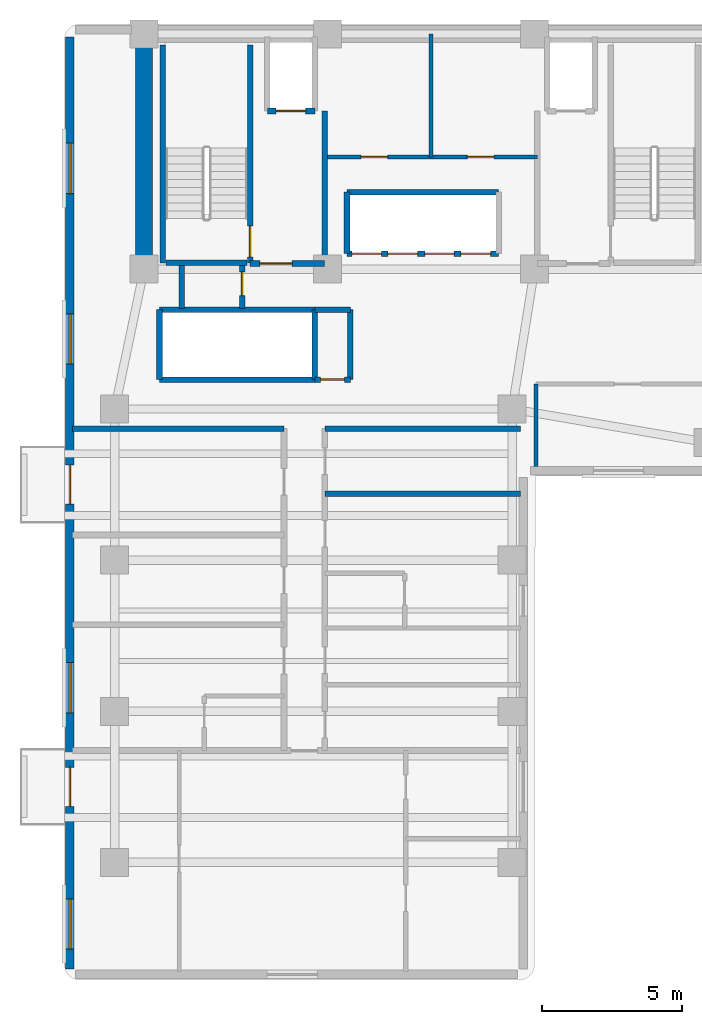
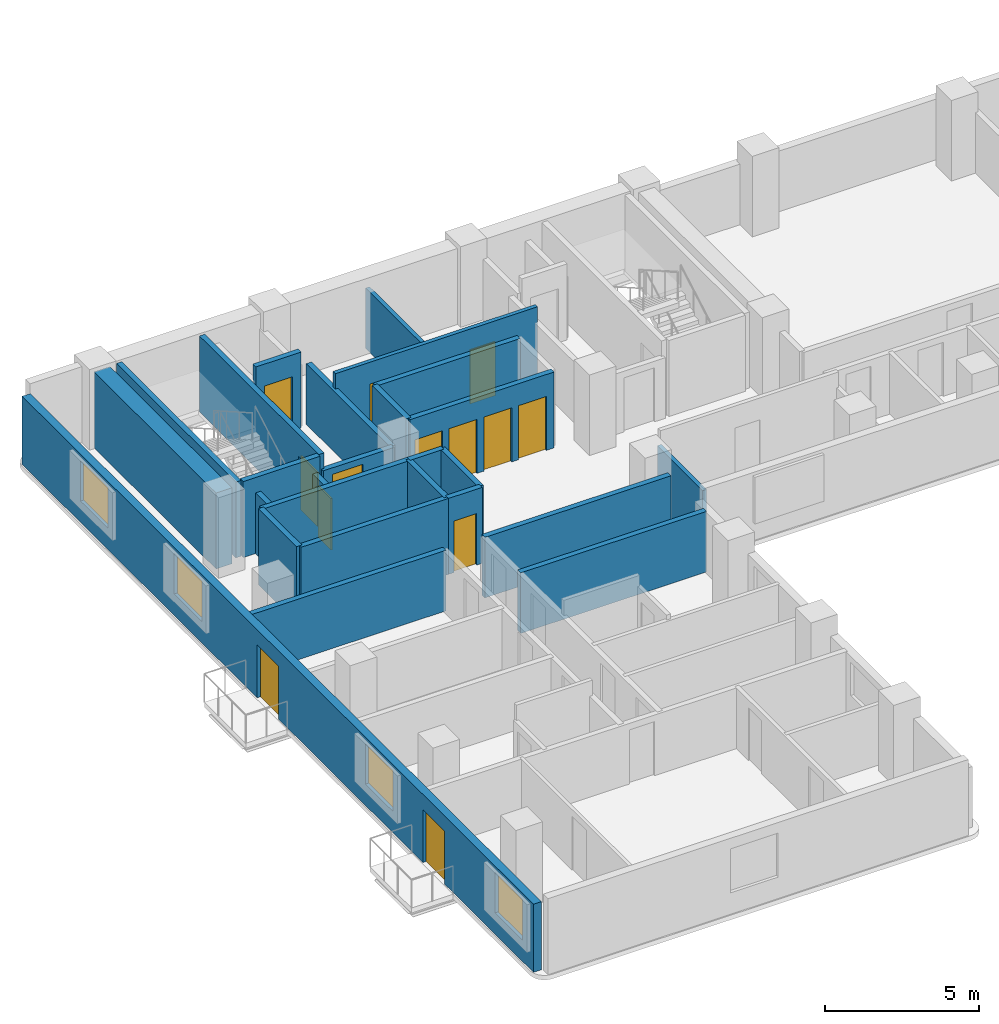
# One storey, part 3 of 7: 26 walls, 13 doors, 4 windows, 17 openings.
"""IFC4 building model written with IfcOpenShell, lengths in metres."""

import ifcopenshell
import ifcopenshell.guid

model = None  # the IFC model being written
_history = None  # IfcOwnerHistory: only IFC2X3 demands one
_inside = {}  # id of a spatial element -> (the spatial element, [elements in it])
_under = {}  # id of a project, library or spatial element -> (it, [spatial elements below it])
_declared = {}  # id of a project -> (the project, [libraries it declares])
_typed = {}  # id of a type object -> (the type object, [elements of that type])
_made_of = {}  # id of a material, layer set ... -> (it, [elements and type objects made of it])


def new_model(schema):
    """Start an empty IFC model of exactly this schema.

    Asked for "IFC4X3", IfcOpenShell would pick the latest addendum, in which some entities
    have other attributes; the version numbers below select the first issue.
    IFC2X3 requires an IfcOwnerHistory on every rooted entity: one is made here for all.
    """
    global model, _history
    if schema == "IFC4X3":
        model = ifcopenshell.file(schema_version=(4, 3, 0, 0))
    else:
        model = ifcopenshell.file(schema=schema)
    _inside.clear()
    _under.clear()
    _declared.clear()
    _typed.clear()
    _made_of.clear()
    _history = None
    if model.schema == "IFC2X3":
        org = make("IfcOrganization", Name="unknown")
        user = make(
            "IfcPersonAndOrganization",
            ThePerson=make("IfcPerson", FamilyName="unknown"),
            TheOrganization=org,
        )
        app = make(
            "IfcApplication",
            ApplicationDeveloper=org,
            Version="unknown",
            ApplicationFullName="unknown",
            ApplicationIdentifier="unknown",
        )
        _history = make(
            "IfcOwnerHistory",
            OwningUser=user,
            OwningApplication=app,
            ChangeAction="ADDED",
            CreationDate=0,
        )
    return model


def make(cls, **values):
    """One entity of the class cls with the attributes given. An attribute that is None is left unset."""
    return model.create_entity(
        cls, **{name: value for name, value in values.items() if value is not None}
    )


def rooted(cls, **values):
    """An entity with a GlobalId (a new one), such as an element, a storey or a relation."""
    return make(cls, GlobalId=ifcopenshell.guid.new(), OwnerHistory=_history, **values)


def si_unit(unit_type, name, prefix=None):
    """IfcSIUnit, for example si_unit("LENGTHUNIT", "METRE", prefix="MILLI")."""
    return make("IfcSIUnit", UnitType=unit_type, Prefix=prefix, Name=name)


def assignment(units):
    """IfcUnitAssignment: the units of a project."""
    return None if units is None else make("IfcUnitAssignment", Units=units)


def point(xyz):
    """IfcCartesianPoint."""
    return None if xyz is None else make("IfcCartesianPoint", Coordinates=xyz)


def direction(xyz):
    """IfcDirection."""
    return None if xyz is None else make("IfcDirection", DirectionRatios=xyz)


def frame(location, z_axis=None, x_axis=None):
    """IfcAxis2Placement3D, a coordinate frame: its origin and axes. An axis left out is left unset."""
    return make(
        "IfcAxis2Placement3D",
        Location=point(location),
        Axis=direction(z_axis),
        RefDirection=direction(x_axis),
    )


def frame_2d(location, x_axis=None):
    """IfcAxis2Placement2D, a coordinate frame in the plane: its origin and x axis."""
    return make(
        "IfcAxis2Placement2D", Location=point(location), RefDirection=direction(x_axis)
    )


def origin():
    """The frame at (0, 0, 0) with its axes left unset."""
    return frame((0.0, 0.0, 0.0))


def place(relative_to, where):
    """IfcLocalPlacement: puts the frame where relative to a parent placement (None: the world)."""
    return make(
        "IfcLocalPlacement", PlacementRelTo=relative_to, RelativePlacement=where
    )


def context(
    kind, dimensions, precision=None, world=None, true_north=None, identifier=None
):
    """IfcGeometricRepresentationContext, for example the 3D "Model" context."""
    return make(
        "IfcGeometricRepresentationContext",
        ContextIdentifier=identifier,
        ContextType=kind,
        CoordinateSpaceDimension=dimensions,
        Precision=precision,
        WorldCoordinateSystem=world,
        TrueNorth=true_north,
    )


def subcontext(parent, identifier, kind, view, scale=None):
    """IfcGeometricRepresentationSubContext, for example "Body" below "Model"."""
    return make(
        "IfcGeometricRepresentationSubContext",
        ContextIdentifier=identifier,
        ContextType=kind,
        ParentContext=parent,
        TargetScale=scale,
        TargetView=view,
    )


def project(units=None, contexts=None):
    """IfcProject with its units and contexts."""
    return rooted(
        "IfcProject",
        Name="project",
        RepresentationContexts=contexts,
        UnitsInContext=assignment(units),
    )


def spatial(cls, under=None, at=None, **own):
    """A site, building, storey or space (cls), placed at a placement, below another one or the project."""
    s = rooted(cls, ObjectPlacement=at, **own)
    if under is not None:
        _under.setdefault(under.id(), (under, []))[1].append(s)
    return s


def profile(cls, at=None, kind="AREA", **sizes):
    """A parametric profile (cls). Its sizes go by their IFC names, for example OverallWidth=200.0."""
    return make(cls, ProfileType=kind, Position=at, **sizes)


def rectangle(**sizes):
    """IfcRectangleProfileDef."""
    return profile("IfcRectangleProfileDef", **sizes)


def extrude(swept, where, along, depth):
    """IfcExtrudedAreaSolid: the profile swept, set in the frame where, extruded along a direction by depth."""
    return make(
        "IfcExtrudedAreaSolid",
        SweptArea=swept,
        Position=where,
        ExtrudedDirection=direction(along),
        Depth=depth,
    )


def shape(context_of_items, identifier, shape_type, items):
    """IfcShapeRepresentation: the items that make up one representation, for example the "Body"."""
    return make(
        "IfcShapeRepresentation",
        ContextOfItems=context_of_items,
        RepresentationIdentifier=identifier,
        RepresentationType=shape_type,
        Items=items,
    )


def material(Name=None, Category=None):
    """IfcMaterial."""
    return make("IfcMaterial", Name=Name, Category=Category)


def layer(
    of_material, thickness, ventilated=None, Name=None, Category=None, Priority=None
):
    """IfcMaterialLayer: one layer of a wall or slab, of a material (None: an air gap)."""
    return make(
        "IfcMaterialLayer",
        Material=of_material,
        LayerThickness=thickness,
        IsVentilated=ventilated,
        Name=Name,
        Category=Category,
        Priority=Priority,
    )


def layer_set(layers, Name=None):
    """IfcMaterialLayerSet."""
    return make("IfcMaterialLayerSet", MaterialLayers=layers, LayerSetName=Name)


def made_of(thing, what):
    """Note that an element or type object is made of a material, layer set ...; save() writes the relation."""
    if what is not None:
        _made_of.setdefault(what.id(), (what, []))[1].append(thing)
    return thing


def type_object(cls, material=None, **own):
    """A type object (cls), such as IfcWallType, which elements share."""
    return made_of(rooted(cls, **own), material)


def element(
    cls,
    number,
    at=None,
    inside=None,
    cuts=None,
    type_object=None,
    material=None,
    context=None,
    identifier="Body",
    shape_type=None,
    held_by="IfcProductDefinitionShape",
    body=None,
    shapes=None,
    **own,
):
    """One element of the class cls, such as IfcWall. Its Tag is "e" and its number.

    at: its placement. inside: the storey or other place that contains it. cuts: it is an
    opening in that element (IfcRelVoidsElement). A single representation is given by context,
    identifier, shape_type and body (its items); several are given by shapes. held_by: the class
    of the entity that holds the representations. save() writes the other relations.
    """
    e = rooted(cls, Tag="e%d" % number, ObjectPlacement=at, **own)
    if body is not None:
        shapes = [shape(context, identifier, shape_type, body)]
    if shapes is not None:
        e.Representation = make(held_by, Representations=shapes)
    if inside is not None:
        _inside.setdefault(inside.id(), (inside, []))[1].append(e)
    if cuts is not None:
        rooted(
            "IfcRelVoidsElement", RelatingBuildingElement=cuts, RelatedOpeningElement=e
        )
    if type_object is not None:
        _typed.setdefault(type_object.id(), (type_object, []))[1].append(e)
    return made_of(e, material)


def fill(opening, filler):
    """IfcRelFillsElement: the door or window that sits in an opening."""
    return rooted(
        "IfcRelFillsElement",
        RelatingOpeningElement=opening,
        RelatedBuildingElement=filler,
    )


def aggregate(whole, parts):
    """IfcRelAggregates: a whole, such as a stair, and the parts it consists of."""
    return rooted("IfcRelAggregates", RelatingObject=whole, RelatedObjects=parts)


def save(model, path):
    """Write the relations noted so far, then the file.

    IfcRelAggregates (storeys below a building ...), IfcRelContainedInSpatialStructure (elements
    in a storey), IfcRelDefinesByType, IfcRelAssociatesMaterial and IfcRelDeclares: one each for
    every whole, place, type object, material and project.
    """
    for whole, parts in _under.values():
        aggregate(whole, parts)
    for where, things in _inside.values():
        rooted(
            "IfcRelContainedInSpatialStructure",
            RelatedElements=things,
            RelatingStructure=where,
        )
    for kind, things in _typed.values():
        rooted("IfcRelDefinesByType", RelatedObjects=things, RelatingType=kind)
    for what, things in _made_of.values():
        rooted("IfcRelAssociatesMaterial", RelatedObjects=things, RelatingMaterial=what)
    for by, libraries in _declared.values():
        rooted("IfcRelDeclares", RelatingContext=by, RelatedDefinitions=libraries)
    model.write(path)


model = new_model("IFC4")

# Units and contexts
model_context = context("Model", 3, precision=1e-05, world=origin(), true_north=direction((0.0, 1.0)))
body_context = subcontext(model_context, "Body", "Model", "MODEL_VIEW")
ifc_project = project(units=[si_unit("LENGTHUNIT", "METRE"), si_unit("AREAUNIT", "SQUARE_METRE"), si_unit("VOLUMEUNIT", "CUBIC_METRE"), si_unit("PLANEANGLEUNIT", "RADIAN"), si_unit("MASSUNIT", "GRAM", prefix="KILO")], contexts=[model_context])

# Site, building, storey
site_placement = place(None, origin())
site = spatial("IfcSite", under=ifc_project, at=site_placement, CompositionType="ELEMENT")
building_placement = place(site_placement, origin())
building = spatial("IfcBuilding", under=site, at=building_placement, Name="Kuzgunbayir Cultural Tower", CompositionType="ELEMENT")
storey_placement = place(building_placement, frame((0.0, 0.0, 120.199951171875)))
storey = spatial("IfcBuildingStorey", under=building, at=storey_placement, Name="L34", CompositionType="ELEMENT", Elevation=120.199951171875)

# Wall
ifc_material_1 = material(Name="Concrete C60/75", Category="concrete")
ifc_layer_1 = layer(ifc_material_1, 0.60009765625)
ifc_layer_set_1 = layer_set([ifc_layer_1], Name="Concrete C60/75")
wall_type_1 = type_object("IfcWallType", Name="WAL-CORE-600", PredefinedType="SHEAR", material=ifc_layer_set_1)
wall_1_placement = place(storey_placement, frame((6.449951171875, 33.800048828125, 0.0), z_axis=(0.0, 0.0, 1.0), x_axis=(0.0, 1.0, 0.0)))
element("IfcWall", 1, at=wall_1_placement, inside=storey, type_object=wall_type_1, Name="L34 T1 Core West Shear Wall", PredefinedType="SHEAR", context=body_context, shape_type="SweptSolid", body=[
    extrude(rectangle(XDim=7.949951171875, YDim=0.60009765625, at=frame_2d((3.97509765625, 0.0))), origin(), (0.0, 0.0, 1.0), 3.02001953125),
])

# Wall, openings, doors, windows
ifc_material_2 = material(Name="Anatolian Cream Limestone", Category="masonry")
ifc_layer_2 = layer(ifc_material_2, 0.300048828125)
ifc_layer_set_2 = layer_set([ifc_layer_2], Name="Anatolian Cream Limestone")
wall_type_2 = type_object("IfcWallType", Name="WAL-EXT-STONE-300", PredefinedType="STANDARD", material=ifc_layer_set_2)
wall_2_placement = place(storey_placement, frame((3.800048828125, 42.10009765625, 0.0), z_axis=(0.0, 0.0, 1.0), x_axis=(0.0, -1.0, 0.0)))
wall_2 = element("IfcWall", 2, at=wall_2_placement, inside=storey, type_object=wall_type_2, Name="L34 Wing A West Limestone Wall", PredefinedType="STANDARD", context=body_context, shape_type="SweptSolid", body=[
    extrude(rectangle(XDim=33.300048828125, YDim=0.300048828125, at=frame_2d((16.64990234375, 0.0))), origin(), (0.0, 0.0, 1.0), 2.7099609375),
])
opening_1_placement = place(wall_2_placement, frame((26.10009765625, 0.0, 0.0)))
opening_1 = element("IfcOpeningElement", 3, at=opening_1_placement, cuts=wall_2, Name="Opening BD-15", PredefinedType="OPENING", context=body_context, shape_type="SweptSolid", body=[
    extrude(rectangle(XDim=1.39990234375, YDim=2.10009765625, at=frame_2d((0.699951171875, 1.050048828125))), frame((0.0, 0.16015625, 0.0), z_axis=(0.0, -1.0, 0.0), x_axis=(1.0, 0.0, 0.0)), (0.0, 0.0, 1.0), 0.320068359375),
])
opening_2_placement = place(wall_2_placement, frame((15.300048828125, 0.0, 0.0)))
opening_2 = element("IfcOpeningElement", 4, at=opening_2_placement, cuts=wall_2, Name="Opening BD-15", PredefinedType="OPENING", context=body_context, shape_type="SweptSolid", body=[
    extrude(rectangle(XDim=1.39990234375, YDim=2.10009765625, at=frame_2d((0.699951171875, 1.050048828125))), frame((0.0, 0.16015625, 0.0), z_axis=(0.0, -1.0, 0.0), x_axis=(1.0, 0.0, 0.0)), (0.0, 0.0, 1.0), 0.320068359375),
])
opening_3_placement = place(wall_2_placement, frame((22.360107421875, 0.0, 0.85009765625)))
opening_3 = element("IfcOpeningElement", 5, at=opening_3_placement, cuts=wall_2, Name="Opening WH-18", PredefinedType="OPENING", context=body_context, shape_type="SweptSolid", body=[
    extrude(rectangle(XDim=1.800048828125, YDim=1.610107421875, at=frame_2d((0.89990234375, 0.80517578125))), frame((0.0, 0.16015625, 0.0), z_axis=(0.0, -1.0, 0.0), x_axis=(1.0, 0.0, 0.0)), (0.0, 0.0, 1.0), 0.320068359375),
])
opening_4_placement = place(wall_2_placement, frame((30.800048828125, 0.0, 0.85009765625)))
opening_4 = element("IfcOpeningElement", 6, at=opening_4_placement, cuts=wall_2, Name="Opening WH-18", PredefinedType="OPENING", context=body_context, shape_type="SweptSolid", body=[
    extrude(rectangle(XDim=1.800048828125, YDim=1.610107421875, at=frame_2d((0.89990234375, 0.80517578125))), frame((0.0, 0.16015625, 0.0), z_axis=(0.0, -1.0, 0.0), x_axis=(1.0, 0.0, 0.0)), (0.0, 0.0, 1.0), 0.320068359375),
])
opening_5_placement = place(wall_2_placement, frame((9.89990234375, 0.0, 0.85009765625)))
opening_5 = element("IfcOpeningElement", 7, at=opening_5_placement, cuts=wall_2, Name="Opening WH-18", PredefinedType="OPENING", context=body_context, shape_type="SweptSolid", body=[
    extrude(rectangle(XDim=1.800048828125, YDim=1.610107421875, at=frame_2d((0.89990234375, 0.80517578125))), frame((0.0, 0.16015625, 0.0), z_axis=(0.0, -1.0, 0.0), x_axis=(1.0, 0.0, 0.0)), (0.0, 0.0, 1.0), 0.320068359375),
])
opening_6_placement = place(wall_2_placement, frame((3.800048828125, 0.0, 0.85009765625)))
opening_6 = element("IfcOpeningElement", 8, at=opening_6_placement, cuts=wall_2, Name="Opening WH-18", PredefinedType="OPENING", context=body_context, shape_type="SweptSolid", body=[
    extrude(rectangle(XDim=1.800048828125, YDim=1.610107421875, at=frame_2d((0.89990234375, 0.80517578125))), frame((0.0, 0.16015625, 0.0), z_axis=(0.0, -1.0, 0.0), x_axis=(1.0, 0.0, 0.0)), (0.0, 0.0, 1.0), 0.320068359375),
])
ifc_material_3 = material(Name="Thermally Broken Glazed Aluminium", Category="aluminium")
door_type_1 = type_object("IfcDoorType", Name="DR-BALCONY-150", OperationType="SLIDING_TO_RIGHT", PredefinedType="DOOR", material=ifc_material_3)
door_1_placement = place(opening_1_placement, origin())
door_1 = element("IfcDoor", 9, at=door_1_placement, inside=storey, type_object=door_type_1, Name="L34 West Balcony Sliding Door BAL-L34-WA1", OperationType="SLIDING_TO_RIGHT", OverallHeight=2.10009765625, OverallWidth=1.39990234375, PredefinedType="DOOR", context=body_context, shape_type="SweptSolid", body=[
    extrude(rectangle(XDim=1.39990234375, YDim=2.10009765625, at=frame_2d((0.699951171875, 1.050048828125))), frame((0.0, 0.02490234375, 0.0), z_axis=(0.0, -1.0, 0.0), x_axis=(1.0, 0.0, 0.0)), (0.0, 0.0, 1.0), 0.050048828125),
])
fill(opening_1, door_1)
door_2_placement = place(opening_2_placement, origin())
door_2 = element("IfcDoor", 10, at=door_2_placement, inside=storey, type_object=door_type_1, Name="L34 West Balcony Sliding Door BAL-L34-WA3", OperationType="SLIDING_TO_RIGHT", OverallHeight=2.10009765625, OverallWidth=1.39990234375, PredefinedType="DOOR", context=body_context, shape_type="SweptSolid", body=[
    extrude(rectangle(XDim=1.39990234375, YDim=2.10009765625, at=frame_2d((0.699951171875, 1.050048828125))), frame((0.0, 0.02490234375, 0.0), z_axis=(0.0, -1.0, 0.0), x_axis=(1.0, 0.0, 0.0)), (0.0, 0.0, 1.0), 0.050048828125),
])
fill(opening_2, door_2)
ifc_material_4 = material(Name="Solar-Control Triple Glazing", Category="glass")
window_type = type_object("IfcWindowType", Name="WIN-HOTEL-18", PartitioningType="SINGLE_PANEL", PredefinedType="WINDOW", material=ifc_material_4)
window_1_placement = place(opening_3_placement, origin())
window_1 = element("IfcWindow", 11, at=window_1_placement, inside=storey, type_object=window_type, Name="L34 WAW Facade Window 1", OverallHeight=1.610107421875, OverallWidth=1.800048828125, PartitioningType="SINGLE_PANEL", PredefinedType="WINDOW", context=body_context, shape_type="SweptSolid", body=[
    extrude(rectangle(XDim=1.800048828125, YDim=1.610107421875, at=frame_2d((0.89990234375, 0.80517578125))), frame((0.0, 0.030029296875, 0.0), z_axis=(0.0, -1.0, 0.0), x_axis=(1.0, 0.0, 0.0)), (0.0, 0.0, 1.0), 0.06005859375),
])
fill(opening_3, window_1)
window_2_placement = place(opening_4_placement, origin())
window_2 = element("IfcWindow", 12, at=window_2_placement, inside=storey, type_object=window_type, Name="L34 WAW Facade Window 6", OverallHeight=1.610107421875, OverallWidth=1.800048828125, PartitioningType="SINGLE_PANEL", PredefinedType="WINDOW", context=body_context, shape_type="SweptSolid", body=[
    extrude(rectangle(XDim=1.800048828125, YDim=1.610107421875, at=frame_2d((0.89990234375, 0.80517578125))), frame((0.0, 0.030029296875, 0.0), z_axis=(0.0, -1.0, 0.0), x_axis=(1.0, 0.0, 0.0)), (0.0, 0.0, 1.0), 0.06005859375),
])
fill(opening_4, window_2)
window_3_placement = place(opening_5_placement, origin())
window_3 = element("IfcWindow", 13, at=window_3_placement, inside=storey, type_object=window_type, Name="L34 WAW Facade Window 7", OverallHeight=1.610107421875, OverallWidth=1.800048828125, PartitioningType="SINGLE_PANEL", PredefinedType="WINDOW", context=body_context, shape_type="SweptSolid", body=[
    extrude(rectangle(XDim=1.800048828125, YDim=1.610107421875, at=frame_2d((0.89990234375, 0.80517578125))), frame((0.0, 0.030029296875, 0.0), z_axis=(0.0, -1.0, 0.0), x_axis=(1.0, 0.0, 0.0)), (0.0, 0.0, 1.0), 0.06005859375),
])
fill(opening_5, window_3)
window_4_placement = place(opening_6_placement, origin())
window_4 = element("IfcWindow", 14, at=window_4_placement, inside=storey, type_object=window_type, Name="L34 WAW Facade Window 8", OverallHeight=1.610107421875, OverallWidth=1.800048828125, PartitioningType="SINGLE_PANEL", PredefinedType="WINDOW", context=body_context, shape_type="SweptSolid", body=[
    extrude(rectangle(XDim=1.800048828125, YDim=1.610107421875, at=frame_2d((0.89990234375, 0.80517578125))), frame((0.0, 0.030029296875, 0.0), z_axis=(0.0, -1.0, 0.0), x_axis=(1.0, 0.0, 0.0)), (0.0, 0.0, 1.0), 0.06005859375),
])
fill(opening_6, window_4)

# Wall, openings, doors
ifc_material_5 = material(Name="Acoustic Double-Stud Drywall", Category="gypsum")
ifc_layer_3 = layer(ifc_material_5, 0.14990234375)
ifc_layer_set_3 = layer_set([ifc_layer_3], Name="Acoustic Double-Stud Drywall")
wall_type_3 = type_object("IfcWallType", Name="WAL-PART-ACOUSTIC-150", PredefinedType="PARTITIONING", material=ifc_layer_set_3)
wall_3_placement = place(storey_placement, frame((12.89990234375, 37.800048828125, 0.0), z_axis=(0.0, 0.0, 1.0), x_axis=(1.0, 0.0, 0.0)))
wall_3 = element("IfcWall", 15, at=wall_3_placement, inside=storey, type_object=wall_type_3, Name="L34 Repurposed Core Suite Wall", PredefinedType="PARTITIONING", context=body_context, shape_type="SweptSolid", body=[
    extrude(rectangle(XDim=7.60009765625, YDim=0.14990234375, at=frame_2d((3.800048828125, 0.0))), origin(), (0.0, 0.0, 1.0), 3.02001953125),
])
opening_7_placement = place(wall_3_placement, frame((1.300048828125, 0.0, 0.0)))
opening_7 = element("IfcOpeningElement", 16, at=opening_7_placement, cuts=wall_3, Name="Opening DC-95", PredefinedType="OPENING", context=body_context, shape_type="SweptSolid", body=[
    extrude(rectangle(XDim=0.949951171875, YDim=2.14990234375, at=frame_2d((0.47509765625, 1.074951171875))), frame((0.0, 0.0849609375, 0.0), z_axis=(0.0, -1.0, 0.0), x_axis=(1.0, 0.0, 0.0)), (0.0, 0.0, 1.0), 0.169921875),
])
opening_8_placement = place(wall_3_placement, frame((5.10009765625, 0.0, 0.0)))
opening_8 = element("IfcOpeningElement", 17, at=opening_8_placement, cuts=wall_3, Name="Opening DC-95", PredefinedType="OPENING", context=body_context, shape_type="SweptSolid", body=[
    extrude(rectangle(XDim=0.949951171875, YDim=2.14990234375, at=frame_2d((0.47509765625, 1.074951171875))), frame((0.0, 0.0849609375, 0.0), z_axis=(0.0, -1.0, 0.0), x_axis=(1.0, 0.0, 0.0)), (0.0, 0.0, 1.0), 0.169921875),
])
ifc_material_6 = material(Name="Fire-Rated Veneered Oak Leaf", Category="wood")
door_type_2 = type_object("IfcDoorType", Name="DR-CORE-95", OperationType="NOTDEFINED", PredefinedType="DOOR", material=ifc_material_6)
door_3_placement = place(opening_7_placement, origin())
door_3 = element("IfcDoor", 18, at=door_3_placement, inside=storey, type_object=door_type_2, Name="L34 Focus Room Door", OperationType="SINGLE_SWING_LEFT", OverallHeight=2.14990234375, OverallWidth=0.949951171875, PredefinedType="DOOR", context=body_context, shape_type="SweptSolid", body=[
    extrude(rectangle(XDim=0.949951171875, YDim=2.14990234375, at=frame_2d((0.47509765625, 1.074951171875))), frame((0.0, 0.02490234375, 0.0), z_axis=(0.0, -1.0, 0.0), x_axis=(1.0, 0.0, 0.0)), (0.0, 0.0, 1.0), 0.050048828125),
])
fill(opening_7, door_3)
door_4_placement = place(opening_8_placement, origin())
door_4 = element("IfcDoor", 19, at=door_4_placement, inside=storey, type_object=door_type_2, Name="L34 Core Linen Room Door", OperationType="SINGLE_SWING_RIGHT", OverallHeight=2.14990234375, OverallWidth=0.949951171875, PredefinedType="DOOR", context=body_context, shape_type="SweptSolid", body=[
    extrude(rectangle(XDim=0.949951171875, YDim=2.14990234375, at=frame_2d((0.47509765625, 1.074951171875))), frame((0.0, 0.02490234375, 0.0), z_axis=(0.0, -1.0, 0.0), x_axis=(1.0, 0.0, 0.0)), (0.0, 0.0, 1.0), 0.050048828125),
])
fill(opening_8, door_4)

# Walls
wall_4_placement = place(storey_placement, frame((16.699951171875, 37.800048828125, 0.0), z_axis=(0.0, 0.0, 1.0), x_axis=(0.0, 1.0, 0.0)))
element("IfcWall", 20, at=wall_4_placement, inside=storey, type_object=wall_type_3, Name="L34 Core Study Partition", PredefinedType="PARTITIONING", context=body_context, shape_type="SweptSolid", body=[
    extrude(rectangle(XDim=4.39990234375, YDim=0.14990234375, at=frame_2d((2.199951171875, 0.0))), origin(), (0.0, 0.0, 1.0), 2.41015625),
])
wall_5_placement = place(storey_placement, frame((20.449951171875, 26.75, 0.0), z_axis=(0.0, 0.0, 1.0), x_axis=(0.0, 1.0, 0.0)))
element("IfcWall", 21, at=wall_5_placement, inside=storey, type_object=wall_type_3, Name="L34 Waist Alcove West Wall", PredefinedType="PARTITIONING", context=body_context, shape_type="SweptSolid", body=[
    extrude(rectangle(XDim=2.949951171875, YDim=0.14990234375, at=frame_2d((1.47509765625, 0.0))), origin(), (0.0, 0.0, 1.0), 2.41015625),
])
ifc_material_7 = material(Name="Aerated Concrete Blockwork", Category="masonry")
ifc_layer_4 = layer(ifc_material_7, 0.199951171875)
ifc_layer_set_4 = layer_set([ifc_layer_4], Name="Aerated Concrete Blockwork")
wall_type_4 = type_object("IfcWallType", Name="WAL-PART-FIRE-200", PredefinedType="PARTITIONING", material=ifc_layer_set_4)
wall_6_placement = place(storey_placement, frame((12.89990234375, 34.0, 0.0), z_axis=(0.0, 0.0, 1.0), x_axis=(0.0, 1.0, 0.0)))
element("IfcWall", 22, at=wall_6_placement, inside=storey, type_object=wall_type_4, Name="L34 FFL-1 Lobby East Fire Wall", PredefinedType="PARTITIONING", context=body_context, shape_type="SweptSolid", body=[
    extrude(rectangle(XDim=5.449951171875, YDim=0.199951171875, at=frame_2d((2.72509765625, 0.0))), origin(), (0.0, 0.0, 1.0), 2.41015625),
])

# Wall, opening, door
wall_7_placement = place(storey_placement, frame((10.239990234375, 34.0, 0.0), z_axis=(0.0, 0.0, 1.0), x_axis=(1.0, 0.0, 0.0)))
wall_7 = element("IfcWall", 23, at=wall_7_placement, inside=storey, type_object=wall_type_4, Name="L34 FFL-1 Lobby South Fire Wall", PredefinedType="PARTITIONING", context=body_context, shape_type="SweptSolid", body=[
    extrude(rectangle(XDim=2.659912109375, YDim=0.199951171875, at=frame_2d((1.330078125, 0.0))), origin(), (0.0, 0.0, 1.0), 2.41015625),
])
opening_9_placement = place(wall_7_placement, frame((0.35009765625, 0.0, 0.0)))
opening_9 = element("IfcOpeningElement", 24, at=opening_9_placement, cuts=wall_7, Name="Opening DR-FFL-90", PredefinedType="OPENING", context=body_context, shape_type="SweptSolid", body=[
    extrude(rectangle(XDim=1.14990234375, YDim=2.14990234375, at=frame_2d((0.574951171875, 1.074951171875))), frame((0.0, 0.10986328125, 0.0), z_axis=(0.0, -1.0, 0.0), x_axis=(1.0, 0.0, 0.0)), (0.0, 0.0, 1.0), 0.219970703125),
])
ifc_material_8 = material(Name="Steel S355J2", Category="steel")
door_type_3 = type_object("IfcDoorType", Name="DR-FFL-90", OperationType="NOTDEFINED", PredefinedType="DOOR", material=ifc_material_8)
door_5_placement = place(opening_9_placement, origin())
door_5 = element("IfcDoor", 25, at=door_5_placement, inside=storey, type_object=door_type_3, Name="L34 Firefighting Lobby 1 Door", OperationType="SINGLE_SWING_LEFT", OverallHeight=2.14990234375, OverallWidth=1.14990234375, PredefinedType="DOOR", context=body_context, shape_type="SweptSolid", body=[
    extrude(rectangle(XDim=1.14990234375, YDim=2.14990234375, at=frame_2d((0.574951171875, 1.074951171875))), frame((0.0, 0.02490234375, 0.0), z_axis=(0.0, -1.0, 0.0), x_axis=(1.0, 0.0, 0.0)), (0.0, 0.0, 1.0), 0.050048828125),
])
fill(opening_9, door_5)

wall_8_placement = place(storey_placement, frame((12.550048828125, 29.85009765625, 0.0), z_axis=(0.0, 0.0, 1.0), x_axis=(1.0, 0.0, 0.0)))
wall_8 = element("IfcWall", 26, at=wall_8_placement, inside=storey, type_object=wall_type_4, Name="L34 Center Core Switchgear South Wall", PredefinedType="PARTITIONING", context=body_context, shape_type="SweptSolid", body=[
    extrude(rectangle(XDim=1.27001953125, YDim=0.199951171875, at=frame_2d((0.635009765625, 0.0))), origin(), (0.0, 0.0, 1.0), 3.02001953125),
])
opening_10_placement = place(wall_8_placement, frame((0.2099609375, 0.0, 0.0)))
opening_10 = element("IfcOpeningElement", 27, at=opening_10_placement, cuts=wall_8, Name="Opening DR-RSR-60", PredefinedType="OPENING", context=body_context, shape_type="SweptSolid", body=[
    extrude(rectangle(XDim=0.85009765625, YDim=2.050048828125, at=frame_2d((0.425048828125, 1.02490234375))), frame((0.0, 0.10986328125, 0.0), z_axis=(0.0, -1.0, 0.0), x_axis=(1.0, 0.0, 0.0)), (0.0, 0.0, 1.0), 0.219970703125),
])
ifc_material_9 = material(Name="Steel Access Leaf", Category="steel")
door_type_4 = type_object("IfcDoorType", Name="DR-RISER-60", OperationType="NOTDEFINED", PredefinedType="DOOR", material=ifc_material_9)
door_6_placement = place(opening_10_placement, origin())
door_6 = element("IfcDoor", 28, at=door_6_placement, inside=storey, type_object=door_type_4, Name="L34 Electrical Switchgear Closet Door", OperationType="SINGLE_SWING_LEFT", OverallHeight=2.050048828125, OverallWidth=0.85009765625, PredefinedType="DOOR", context=body_context, shape_type="SweptSolid", body=[
    extrude(rectangle(XDim=0.85009765625, YDim=2.050048828125, at=frame_2d((0.425048828125, 1.02490234375))), frame((0.0, 0.02490234375, 0.0), z_axis=(0.0, -1.0, 0.0), x_axis=(1.0, 0.0, 0.0)), (0.0, 0.0, 1.0), 0.050048828125),
])
fill(opening_10, door_6)

# Walls
wall_9_placement = place(storey_placement, frame((13.820068359375, 29.85009765625, 0.0), z_axis=(0.0, 0.0, 1.0), x_axis=(0.0, 1.0, 0.0)))
element("IfcWall", 29, at=wall_9_placement, inside=storey, type_object=wall_type_4, Name="L34 Center Core Switchgear East Wall", PredefinedType="PARTITIONING", context=body_context, shape_type="SweptSolid", body=[
    extrude(rectangle(XDim=2.5, YDim=0.199951171875, at=frame_2d((1.25, 0.0))), origin(), (0.0, 0.0, 1.0), 3.02001953125),
])
wall_10_placement = place(storey_placement, frame((12.550048828125, 32.35009765625, 0.0), z_axis=(0.0, 0.0, 1.0), x_axis=(1.0, 0.0, 0.0)))
element("IfcWall", 30, at=wall_10_placement, inside=storey, type_object=wall_type_4, Name="L34 Center Core Switchgear North Wall", PredefinedType="PARTITIONING", context=body_context, shape_type="SweptSolid", body=[
    extrude(rectangle(XDim=1.27001953125, YDim=0.199951171875, at=frame_2d((0.635009765625, 0.0))), origin(), (0.0, 0.0, 1.0), 3.02001953125),
])
wall_11_placement = place(storey_placement, frame((7.800048828125, 32.39990234375, 0.0), z_axis=(0.0, 0.0, 1.0), x_axis=(0.0, 1.0, 0.0)))
element("IfcWall", 31, at=wall_11_placement, inside=storey, type_object=wall_type_4, Name="L34 West Core Electrical Closet West Wall", PredefinedType="PARTITIONING", context=body_context, shape_type="SweptSolid", body=[
    extrude(rectangle(XDim=1.52001953125, YDim=0.199951171875, at=frame_2d((0.760009765625, 0.0))), origin(), (0.0, 0.0, 1.0), 2.41015625),
])

# Wall, opening, door
wall_12_placement = place(storey_placement, frame((9.949951171875, 32.39990234375, 0.0), z_axis=(0.0, 0.0, 1.0), x_axis=(0.0, 1.0, 0.0)))
wall_12 = element("IfcWall", 32, at=wall_12_placement, inside=storey, type_object=wall_type_4, Name="L34 West Core Electrical Closet East Wall", PredefinedType="PARTITIONING", context=body_context, shape_type="SweptSolid", body=[
    extrude(rectangle(XDim=1.52001953125, YDim=0.199951171875, at=frame_2d((0.760009765625, 0.0))), origin(), (0.0, 0.0, 1.0), 2.41015625),
])
opening_11_placement = place(wall_12_placement, frame((0.449951171875, 0.0, 0.0)))
opening_11 = element("IfcOpeningElement", 33, at=opening_11_placement, cuts=wall_12, Name="Opening DR-RSR-60", PredefinedType="OPENING", context=body_context, shape_type="SweptSolid", body=[
    extrude(rectangle(XDim=0.85009765625, YDim=2.050048828125, at=frame_2d((0.425048828125, 1.02490234375))), frame((0.0, 0.10986328125, 0.0), z_axis=(0.0, -1.0, 0.0), x_axis=(1.0, 0.0, 0.0)), (0.0, 0.0, 1.0), 0.219970703125),
])
door_7_placement = place(opening_11_placement, origin())
door_7 = element("IfcDoor", 34, at=door_7_placement, inside=storey, type_object=door_type_4, Name="L34 West Core Switchgear Closet Door", OperationType="SINGLE_SWING_RIGHT", OverallHeight=2.050048828125, OverallWidth=0.85009765625, PredefinedType="DOOR", context=body_context, shape_type="SweptSolid", body=[
    extrude(rectangle(XDim=0.85009765625, YDim=2.050048828125, at=frame_2d((0.425048828125, 1.02490234375))), frame((0.0, 0.02490234375, 0.0), z_axis=(0.0, -1.0, 0.0), x_axis=(1.0, 0.0, 0.0)), (0.0, 0.0, 1.0), 0.050048828125),
])
fill(opening_11, door_7)

# Walls
wall_13_placement = place(storey_placement, frame((3.89990234375, 28.10009765625, 0.0), z_axis=(0.0, 0.0, 1.0), x_axis=(1.0, 0.0, 0.0)))
element("IfcWall", 35, at=wall_13_placement, inside=storey, type_object=wall_type_4, Name="L34 North West Partition", PredefinedType="PARTITIONING", context=body_context, shape_type="SweptSolid", body=[
    extrude(rectangle(XDim=7.550048828125, YDim=0.199951171875, at=frame_2d((3.77490234375, 0.0))), origin(), (0.0, 0.0, 1.0), 2.41015625),
])
for number, where, z_axis, x_axis, name in (
    (36, (12.909912109375, 28.10009765625, 0.0), (0.0, 0.0, 1.0), (1.0, 0.0, 0.0), "L34 North East Partition"),
    (37, (12.909912109375, 25.77001953125, 0.0), (0.0, 0.0, 1.0), (1.0, 0.0, 0.0), "L34 Suite E1 Sub-Party Wall"),
):
    element("IfcWall", number, at=place(storey_placement, frame(where, z_axis=z_axis, x_axis=x_axis)), inside=storey, type_object=wall_type_4, Name=name, PredefinedType="PARTITIONING", context=body_context, shape_type="SweptSolid", body=[
        extrude(rectangle(XDim=6.989990234375, YDim=0.199951171875, at=frame_2d((3.4951171875, 0.0))), origin(), (0.0, 0.0, 1.0), 2.41015625),
    ])
ifc_material_10 = material(Name="Concrete C40/50", Category="concrete")
ifc_layer_5 = layer(ifc_material_10, 0.199951171875)
ifc_layer_set_5 = layer_set([ifc_layer_5], Name="Concrete C40/50")
wall_type_5 = type_object("IfcWallType", Name="WAL-SHAFT-200", PredefinedType="MOVABLE", material=ifc_layer_set_5)
for number, where, z_axis, x_axis, name in (
    (38, (7.0, 29.85009765625, 0.0), (0.0, 0.0, 1.0), (1.0, 0.0, 0.0), "L34 High-Rise Lift Shaft South Wall"),
    (39, (7.0, 32.35009765625, 0.0), (0.0, 0.0, 1.0), (1.0, 0.0, 0.0), "L34 High-Rise Lift Shaft North Wall"),
):
    element("IfcWall", number, at=place(storey_placement, frame(where, z_axis=z_axis, x_axis=x_axis)), inside=storey, type_object=wall_type_5, Name=name, PredefinedType="MOVABLE", context=body_context, shape_type="SweptSolid", body=[
        extrude(rectangle(XDim=5.550048828125, YDim=0.199951171875, at=frame_2d((2.77490234375, 0.0))), origin(), (0.0, 0.0, 1.0), 3.02001953125),
    ])
for number, where, z_axis, x_axis, name in (
    (40, (7.0, 29.85009765625, 0.0), (0.0, 0.0, 1.0), (0.0, 1.0, 0.0), "L34 High-Rise Lift Shaft West Wall"),
    (41, (12.550048828125, 29.85009765625, 0.0), (0.0, 0.0, 1.0), (0.0, 1.0, 0.0), "L34 High-Rise Lift Shaft East Wall"),
):
    element("IfcWall", number, at=place(storey_placement, frame(where, z_axis=z_axis, x_axis=x_axis)), inside=storey, type_object=wall_type_5, Name=name, PredefinedType="MOVABLE", context=body_context, shape_type="SweptSolid", body=[
        extrude(rectangle(XDim=2.5, YDim=0.199951171875, at=frame_2d((1.25, 0.0))), origin(), (0.0, 0.0, 1.0), 3.02001953125),
    ])

# Wall, opening, door
wall_14_placement = place(storey_placement, frame((10.85009765625, 39.449951171875, 0.0), z_axis=(0.0, 0.0, 1.0), x_axis=(1.0, 0.0, 0.0)))
wall_14 = element("IfcWall", 42, at=wall_14_placement, inside=storey, type_object=wall_type_5, Name="L34 FFL-1 Lift Front Wall", PredefinedType="MOVABLE", context=body_context, shape_type="SweptSolid", body=[
    extrude(rectangle(XDim=1.699951171875, YDim=0.199951171875, at=frame_2d((0.85009765625, 0.0))), origin(), (0.0, 0.0, 1.0), 3.02001953125),
])
opening_12_placement = place(wall_14_placement, frame((0.320068359375, 0.0, 0.0)))
opening_12 = element("IfcOpeningElement", 43, at=opening_12_placement, cuts=wall_14, Name="Opening LD", PredefinedType="OPENING", context=body_context, shape_type="SweptSolid", body=[
    extrude(rectangle(XDim=1.050048828125, YDim=2.14990234375, at=frame_2d((0.52490234375, 1.074951171875))), frame((0.0, 0.10986328125, 0.0), z_axis=(0.0, -1.0, 0.0), x_axis=(1.0, 0.0, 0.0)), (0.0, 0.0, 1.0), 0.219970703125),
])
ifc_material_11 = material(Name="Brushed Stainless Steel", Category="steel")
door_type_5 = type_object("IfcDoorType", Name="DR-LIFT-LANDING", OperationType="SLIDING_TO_LEFT", PredefinedType="DOOR", material=ifc_material_11)
door_8_placement = place(opening_12_placement, origin())
door_8 = element("IfcDoor", 44, at=door_8_placement, inside=storey, type_object=door_type_5, Name="L34 Lift FFL-1 Landing Door", OperationType="SLIDING_TO_LEFT", OverallHeight=2.14990234375, OverallWidth=1.050048828125, PredefinedType="DOOR", context=body_context, shape_type="SweptSolid", body=[
    extrude(rectangle(XDim=1.050048828125, YDim=2.14990234375, at=frame_2d((0.52490234375, 1.074951171875))), frame((0.0, 0.02490234375, 0.0), z_axis=(0.0, -1.0, 0.0), x_axis=(1.0, 0.0, 0.0)), (0.0, 0.0, 1.0), 0.050048828125),
])
fill(opening_12, door_8)

# Wall, openings, doors
wall_15_placement = place(storey_placement, frame((13.699951171875, 34.35009765625, 0.0), z_axis=(0.0, 0.0, 1.0), x_axis=(1.0, 0.0, 0.0)))
wall_15 = element("IfcWall", 45, at=wall_15_placement, inside=storey, type_object=wall_type_5, Name="L34 Mid-Rise Lift Front Wall", PredefinedType="MOVABLE", context=body_context, shape_type="SweptSolid", body=[
    extrude(rectangle(XDim=5.420166015625, YDim=0.199951171875, at=frame_2d((2.7099609375, 0.0))), origin(), (0.0, 0.0, 1.0), 3.02001953125),
])
opening_13_placement = place(wall_15_placement, frame((0.179931640625, 0.0, 0.0)))
opening_13 = element("IfcOpeningElement", 46, at=opening_13_placement, cuts=wall_15, Name="Opening LD", PredefinedType="OPENING", context=body_context, shape_type="SweptSolid", body=[
    extrude(rectangle(XDim=1.050048828125, YDim=2.14990234375, at=frame_2d((0.52490234375, 1.074951171875))), frame((0.0, 0.10986328125, 0.0), z_axis=(0.0, -1.0, 0.0), x_axis=(1.0, 0.0, 0.0)), (0.0, 0.0, 1.0), 0.219970703125),
])
opening_14_placement = place(wall_15_placement, frame((1.469970703125, 0.0, 0.0)))
opening_14 = element("IfcOpeningElement", 47, at=opening_14_placement, cuts=wall_15, Name="Opening LD", PredefinedType="OPENING", context=body_context, shape_type="SweptSolid", body=[
    extrude(rectangle(XDim=1.050048828125, YDim=2.14990234375, at=frame_2d((0.52490234375, 1.074951171875))), frame((0.0, 0.10986328125, 0.0), z_axis=(0.0, -1.0, 0.0), x_axis=(1.0, 0.0, 0.0)), (0.0, 0.0, 1.0), 0.219970703125),
])
opening_15_placement = place(wall_15_placement, frame((2.780029296875, 0.0, 0.0)))
opening_15 = element("IfcOpeningElement", 48, at=opening_15_placement, cuts=wall_15, Name="Opening LD", PredefinedType="OPENING", context=body_context, shape_type="SweptSolid", body=[
    extrude(rectangle(XDim=1.050048828125, YDim=2.14990234375, at=frame_2d((0.52490234375, 1.074951171875))), frame((0.0, 0.10986328125, 0.0), z_axis=(0.0, -1.0, 0.0), x_axis=(1.0, 0.0, 0.0)), (0.0, 0.0, 1.0), 0.219970703125),
])
opening_16_placement = place(wall_15_placement, frame((4.080078125, 0.0, 0.0)))
opening_16 = element("IfcOpeningElement", 49, at=opening_16_placement, cuts=wall_15, Name="Opening LD", PredefinedType="OPENING", context=body_context, shape_type="SweptSolid", body=[
    extrude(rectangle(XDim=1.050048828125, YDim=2.14990234375, at=frame_2d((0.52490234375, 1.074951171875))), frame((0.0, 0.10986328125, 0.0), z_axis=(0.0, -1.0, 0.0), x_axis=(1.0, 0.0, 0.0)), (0.0, 0.0, 1.0), 0.219970703125),
])
door_9_placement = place(opening_13_placement, origin())
door_9 = element("IfcDoor", 50, at=door_9_placement, inside=storey, type_object=door_type_5, Name="L34 Lift PM-1 Landing Door", OperationType="SLIDING_TO_LEFT", OverallHeight=2.14990234375, OverallWidth=1.050048828125, PredefinedType="DOOR", context=body_context, shape_type="SweptSolid", body=[
    extrude(rectangle(XDim=1.050048828125, YDim=2.14990234375, at=frame_2d((0.52490234375, 1.074951171875))), frame((0.0, 0.02490234375, 0.0), z_axis=(0.0, -1.0, 0.0), x_axis=(1.0, 0.0, 0.0)), (0.0, 0.0, 1.0), 0.050048828125),
])
fill(opening_13, door_9)
door_10_placement = place(opening_14_placement, origin())
door_10 = element("IfcDoor", 51, at=door_10_placement, inside=storey, type_object=door_type_5, Name="L34 Lift PM-2 Landing Door", OperationType="SLIDING_TO_LEFT", OverallHeight=2.14990234375, OverallWidth=1.050048828125, PredefinedType="DOOR", context=body_context, shape_type="SweptSolid", body=[
    extrude(rectangle(XDim=1.050048828125, YDim=2.14990234375, at=frame_2d((0.52490234375, 1.074951171875))), frame((0.0, 0.02490234375, 0.0), z_axis=(0.0, -1.0, 0.0), x_axis=(1.0, 0.0, 0.0)), (0.0, 0.0, 1.0), 0.050048828125),
])
fill(opening_14, door_10)
door_11_placement = place(opening_15_placement, origin())
door_11 = element("IfcDoor", 52, at=door_11_placement, inside=storey, type_object=door_type_5, Name="L34 Lift PM-3 Landing Door", OperationType="SLIDING_TO_LEFT", OverallHeight=2.14990234375, OverallWidth=1.050048828125, PredefinedType="DOOR", context=body_context, shape_type="SweptSolid", body=[
    extrude(rectangle(XDim=1.050048828125, YDim=2.14990234375, at=frame_2d((0.52490234375, 1.074951171875))), frame((0.0, 0.02490234375, 0.0), z_axis=(0.0, -1.0, 0.0), x_axis=(1.0, 0.0, 0.0)), (0.0, 0.0, 1.0), 0.050048828125),
])
fill(opening_15, door_11)
door_12_placement = place(opening_16_placement, origin())
door_12 = element("IfcDoor", 53, at=door_12_placement, inside=storey, type_object=door_type_5, Name="L34 Lift PM-4 Landing Door", OperationType="SLIDING_TO_LEFT", OverallHeight=2.14990234375, OverallWidth=1.050048828125, PredefinedType="DOOR", context=body_context, shape_type="SweptSolid", body=[
    extrude(rectangle(XDim=1.050048828125, YDim=2.14990234375, at=frame_2d((0.52490234375, 1.074951171875))), frame((0.0, 0.02490234375, 0.0), z_axis=(0.0, -1.0, 0.0), x_axis=(1.0, 0.0, 0.0)), (0.0, 0.0, 1.0), 0.050048828125),
])
fill(opening_16, door_12)

# Walls
wall_16_placement = place(storey_placement, frame((13.699951171875, 36.550048828125, 0.0), z_axis=(0.0, 0.0, 1.0), x_axis=(1.0, 0.0, 0.0)))
element("IfcWall", 54, at=wall_16_placement, inside=storey, type_object=wall_type_5, Name="L34 Mid-Rise Lift Shaft North Wall", PredefinedType="MOVABLE", context=body_context, shape_type="SweptSolid", body=[
    extrude(rectangle(XDim=5.420166015625, YDim=0.199951171875, at=frame_2d((2.7099609375, 0.0))), origin(), (0.0, 0.0, 1.0), 3.02001953125),
])
wall_17_placement = place(storey_placement, frame((13.699951171875, 34.35009765625, 0.0), z_axis=(0.0, 0.0, 1.0), x_axis=(0.0, 1.0, 0.0)))
element("IfcWall", 55, at=wall_17_placement, inside=storey, type_object=wall_type_5, Name="L34 Mid-Rise Lift Shaft West Wall", PredefinedType="MOVABLE", context=body_context, shape_type="SweptSolid", body=[
    extrude(rectangle(XDim=2.199951171875, YDim=0.199951171875, at=frame_2d((1.10009765625, 0.0))), origin(), (0.0, 0.0, 1.0), 3.02001953125),
])
ifc_layer_6 = layer(ifc_material_10, 0.199951171875)
ifc_layer_set_6 = layer_set([ifc_layer_6], Name="Concrete C40/50")
wall_type_6 = type_object("IfcWallType", Name="WAL-STAIR-RC-200", PredefinedType="SHEAR", material=ifc_layer_set_6)
wall_18_placement = place(storey_placement, frame((7.1201171875, 34.02001953125, 0.0), z_axis=(0.0, 0.0, 1.0), x_axis=(0.0, 1.0, 0.0)))
element("IfcWall", 56, at=wall_18_placement, inside=storey, type_object=wall_type_6, Name="L34 Stair ST-1 West Structural Wall", PredefinedType="SHEAR", context=body_context, shape_type="SweptSolid", body=[
    extrude(rectangle(XDim=7.780029296875, YDim=0.199951171875, at=frame_2d((3.89013671875, 0.0))), origin(), (0.0, 0.0, 1.0), 3.02001953125),
])

# Wall, opening, door
wall_19_placement = place(storey_placement, frame((10.239990234375, 34.02001953125, 0.0), z_axis=(0.0, 0.0, 1.0), x_axis=(0.0, 1.0, 0.0)))
wall_19 = element("IfcWall", 57, at=wall_19_placement, inside=storey, type_object=wall_type_6, Name="L34 Stair ST-1 East Structural Wall", PredefinedType="SHEAR", context=body_context, shape_type="SweptSolid", body=[
    extrude(rectangle(XDim=7.780029296875, YDim=0.199951171875, at=frame_2d((3.89013671875, 0.0))), origin(), (0.0, 0.0, 1.0), 3.02001953125),
])
opening_17_placement = place(wall_19_placement, frame((0.219970703125, 0.0, 0.0)))
opening_17 = element("IfcOpeningElement", 58, at=opening_17_placement, cuts=wall_19, Name="Opening DR-STAIR-90", PredefinedType="OPENING", context=body_context, shape_type="SweptSolid", body=[
    extrude(rectangle(XDim=1.10009765625, YDim=2.14990234375, at=frame_2d((0.550048828125, 1.074951171875))), frame((0.0, 0.10986328125, 0.0), z_axis=(0.0, -1.0, 0.0), x_axis=(1.0, 0.0, 0.0)), (0.0, 0.0, 1.0), 0.219970703125),
])
door_type_6 = type_object("IfcDoorType", Name="DR-STAIR-90", OperationType="NOTDEFINED", PredefinedType="DOOR", material=ifc_material_8)
door_13_placement = place(opening_17_placement, origin())
door_13 = element("IfcDoor", 59, at=door_13_placement, inside=storey, type_object=door_type_6, Name="L34 Stair ST-1 Fire Door", OperationType="SINGLE_SWING_RIGHT", OverallHeight=2.14990234375, OverallWidth=1.10009765625, PredefinedType="DOOR", context=body_context, shape_type="SweptSolid", body=[
    extrude(rectangle(XDim=1.10009765625, YDim=2.14990234375, at=frame_2d((0.550048828125, 1.074951171875))), frame((0.0, 0.02490234375, 0.0), z_axis=(0.0, -1.0, 0.0), x_axis=(1.0, 0.0, 0.0)), (0.0, 0.0, 1.0), 0.050048828125),
])
fill(opening_17, door_13)

# Wall
wall_20_placement = place(storey_placement, frame((7.239990234375, 34.02001953125, 0.0), z_axis=(0.0, 0.0, 1.0), x_axis=(1.0, 0.0, 0.0)))
element("IfcWall", 60, at=wall_20_placement, inside=storey, type_object=wall_type_6, Name="L34 Stair ST-1 South Structural Wall", PredefinedType="SHEAR", context=body_context, shape_type="SweptSolid", body=[
    extrude(rectangle(XDim=2.880126953125, YDim=0.199951171875, at=frame_2d((1.43994140625, 0.0))), origin(), (0.0, 0.0, 1.0), 3.02001953125),
])

save(model, "model.ifc")
